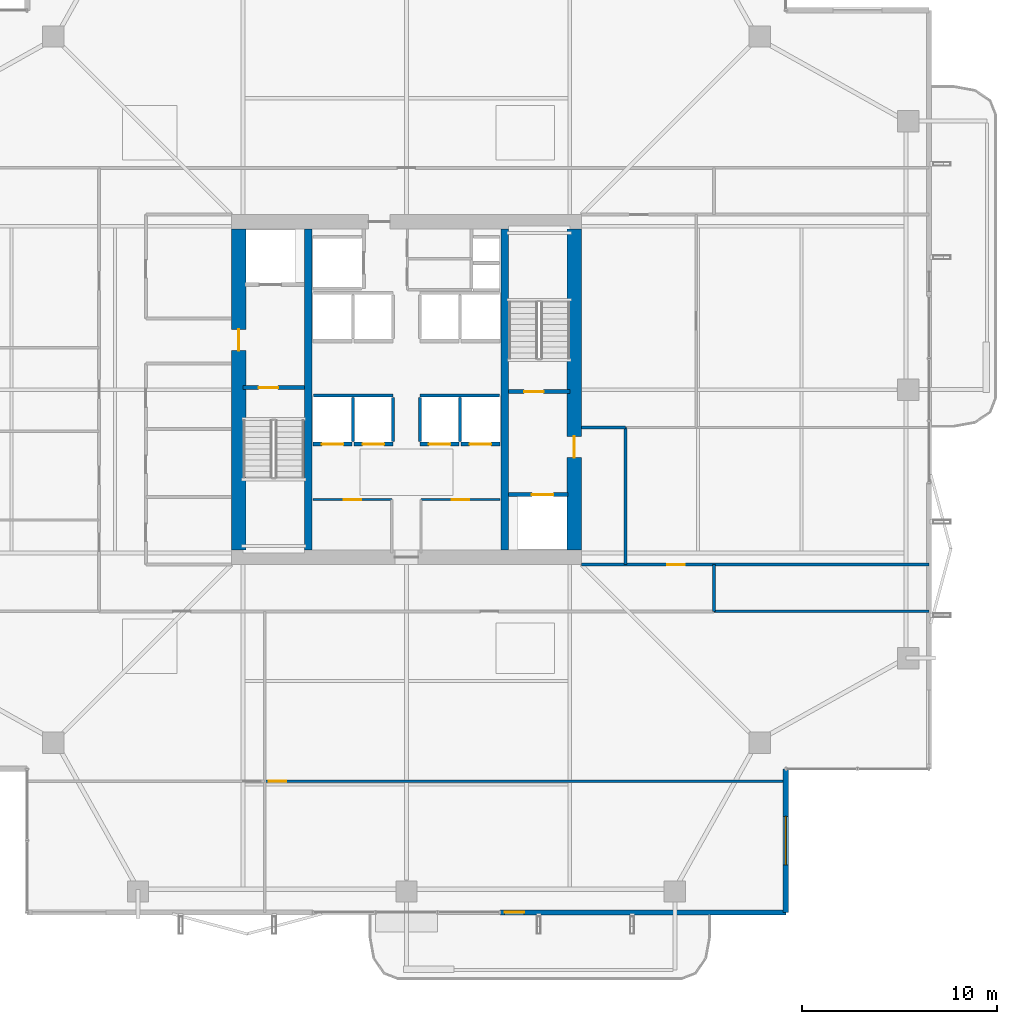
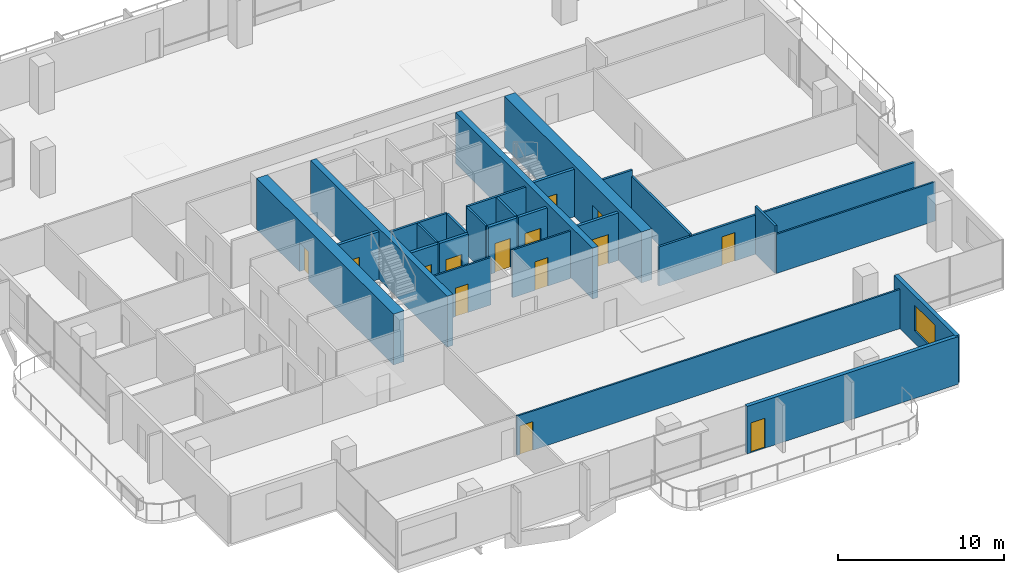
# One storey, part 23 of 29: 27 walls, 14 doors, 1 window, 15 openings.
"""IFC4 building model written with IfcOpenShell, lengths in metres."""

from ifc_helpers import new_model, si_unit, direction, frame, frame_2d, origin, place, context, subcontext, project, spatial, rectangle, extrude, material, layer, layer_set, type_object, element, fill, save


model = new_model("IFC4")

# Units and contexts
model_context = context("Model", 3, precision=1e-05, world=origin(), true_north=direction((0.0, 1.0)))
body_context = subcontext(model_context, "Body", "Model", "MODEL_VIEW")
ifc_project = project(units=[si_unit("LENGTHUNIT", "METRE"), si_unit("AREAUNIT", "SQUARE_METRE"), si_unit("VOLUMEUNIT", "CUBIC_METRE"), si_unit("PLANEANGLEUNIT", "RADIAN"), si_unit("MASSUNIT", "GRAM", prefix="KILO")], contexts=[model_context])

# Site, building, storey
site_placement = place(None, origin())
site = spatial("IfcSite", under=ifc_project, at=site_placement, CompositionType="ELEMENT")
building_placement = place(site_placement, origin())
building = spatial("IfcBuilding", under=site, at=building_placement, Name="Belovzor Exchange Tower", CompositionType="ELEMENT")
storey_placement = place(building_placement, frame((0.0, 0.0, 199.949951171875)))
storey = spatial("IfcBuildingStorey", under=building, at=storey_placement, Name="L49", CompositionType="ELEMENT", Elevation=199.949951171875)

# Wall, opening, door
ifc_material_1 = material(Name="Acoustic Plasterboard on Galvanised Studs", Category="gypsum")
ifc_layer_1 = layer(ifc_material_1, 0.1201171875)
ifc_layer_set_1 = layer_set([ifc_layer_1], Name="Acoustic Plasterboard on Galvanised Studs")
wall_type_1 = type_object("IfcWallType", Name="Acoustic Double-Stud Partition Wall 120", PredefinedType="PARTITIONING", material=ifc_layer_set_1)
wall_1_placement = place(storey_placement, frame((21.510009765625, 8.6650390625, 0.0), z_axis=(0.0, 0.0, 1.0), x_axis=(1.0, 0.0, 0.0)))
wall_1 = element("IfcWall", 1, at=wall_1_placement, inside=storey, type_object=wall_type_1, Name="W-P120 Partition Wall W-L49-SHDIV-1", PredefinedType="PARTITIONING", context=body_context, shape_type="SweptSolid", body=[
    extrude(rectangle(XDim=26.7900390625, YDim=0.1201171875, at=frame_2d((13.39501953125, 0.0))), origin(), (0.0, 0.0, 1.0), 2.885009765625),
])
opening_1_placement = place(wall_1_placement, frame((0.199951171875, 0.0, 0.0)))
opening_1 = element("IfcOpeningElement", 2, at=opening_1_placement, cuts=wall_1, Name="Opening D-INT-090", PredefinedType="OPENING", context=body_context, shape_type="SweptSolid", body=[
    extrude(rectangle(XDim=0.89990234375, YDim=2.10009765625, at=frame_2d((0.449951171875, 1.050048828125))), frame((0.0, 0.070068359375, 0.0), z_axis=(0.0, -1.0, 0.0), x_axis=(1.0, 0.0, 0.0)), (0.0, 0.0, 1.0), 0.14013671875),
])
ifc_material_2 = material(Name="Veneered Hardwood Acoustic Leaf", Category="wood")
door_type_1 = type_object("IfcDoorType", Name="Trading Suite Acoustic Single Door 900x2100", OperationType="NOTDEFINED", PredefinedType="DOOR", material=ifc_material_2)
door_1_placement = place(opening_1_placement, origin())
door_1 = element("IfcDoor", 3, at=door_1_placement, inside=storey, type_object=door_type_1, Name="D-INT-090 Trading Suite Acoustic Single Door 900x2100", OperationType="SINGLE_SWING_LEFT", OverallHeight=2.10009765625, OverallWidth=0.89990234375, PredefinedType="DOOR", context=body_context, shape_type="SweptSolid", body=[
    extrude(rectangle(XDim=0.89990234375, YDim=2.10009765625, at=frame_2d((0.449951171875, 1.050048828125))), frame((0.0, 0.02490234375, 0.0), z_axis=(0.0, -1.0, 0.0), x_axis=(1.0, 0.0, 0.0)), (0.0, 0.0, 1.0), 0.050048828125),
])
fill(opening_1, door_1)

# Wall
wall_2_placement = place(storey_placement, frame((44.60009765625, 17.39990234375, 0.0), z_axis=(0.0, 0.0, 1.0), x_axis=(1.0, 0.0, 0.0)))
element("IfcWall", 4, at=wall_2_placement, inside=storey, type_object=wall_type_1, Name="W-P120 Partition Wall W-L49-END-SE", PredefinedType="PARTITIONING", context=body_context, shape_type="SweptSolid", body=[
    extrude(rectangle(XDim=11.06982421875, YDim=0.1201171875, at=frame_2d((5.534912109375, 0.0))), origin(), (0.0, 0.0, 1.0), 2.885009765625),
])

# Wall, opening, door
ifc_material_3 = material(Name="Fire-Rated Plasterboard on Galvanised Studs", Category="gypsum")
ifc_layer_2 = layer(ifc_material_3, 0.1201171875)
ifc_layer_set_2 = layer_set([ifc_layer_2], Name="Fire-Rated Plasterboard on Galvanised Studs")
wall_type_2 = type_object("IfcWallType", Name="Fire-Rated Double-Stud Partition Wall 120", PredefinedType="PARTITIONING", material=ifc_layer_set_2)
wall_3_placement = place(storey_placement, frame((24.0, 23.14990234375, 0.0), z_axis=(0.0, 0.0, 1.0), x_axis=(1.0, 0.0, 0.0)))
wall_3 = element("IfcWall", 5, at=wall_3_placement, inside=storey, type_object=wall_type_2, Name="W-P120F Partition Wall W-CRL-L49-WN", PredefinedType="PARTITIONING", context=body_context, shape_type="SweptSolid", body=[
    extrude(rectangle(XDim=4.050048828125, YDim=0.1201171875, at=frame_2d((2.02490234375, 0.0))), origin(), (0.0, 0.0, 1.0), 3.5),
])
opening_2_placement = place(wall_3_placement, frame((1.574951171875, 0.0, 0.0)))
opening_2 = element("IfcOpeningElement", 6, at=opening_2_placement, cuts=wall_3, Name="Opening D-FD60-090", PredefinedType="OPENING", context=body_context, shape_type="SweptSolid", body=[
    extrude(rectangle(XDim=0.89990234375, YDim=2.10009765625, at=frame_2d((0.449951171875, 1.050048828125))), frame((0.0, 0.070068359375, 0.0), z_axis=(0.0, -1.0, 0.0), x_axis=(1.0, 0.0, 0.0)), (0.0, 0.0, 1.0), 0.14013671875),
])
ifc_material_4 = material(Name="Acoustic Timber Fire Leaf", Category="wood")
door_type_2 = type_object("IfcDoorType", Name="Core Service & Restroom Fire Door 900x2100", OperationType="NOTDEFINED", PredefinedType="DOOR", material=ifc_material_4)
door_2_placement = place(opening_2_placement, origin())
door_2 = element("IfcDoor", 7, at=door_2_placement, inside=storey, type_object=door_type_2, Name="D-FD60-090 Core Service & Restroom Fire Door 900x2100", OperationType="SINGLE_SWING_LEFT", OverallHeight=2.10009765625, OverallWidth=0.89990234375, PredefinedType="DOOR", context=body_context, shape_type="SweptSolid", body=[
    extrude(rectangle(XDim=0.89990234375, YDim=2.10009765625, at=frame_2d((0.449951171875, 1.050048828125))), frame((0.0, 0.02490234375, 0.0), z_axis=(0.0, -1.0, 0.0), x_axis=(1.0, 0.0, 0.0)), (0.0, 0.0, 1.0), 0.050048828125),
])
fill(opening_2, door_2)

wall_4_placement = place(storey_placement, frame((29.550048828125, 23.14990234375, 0.0), z_axis=(0.0, 0.0, 1.0), x_axis=(1.0, 0.0, 0.0)))
wall_4 = element("IfcWall", 8, at=wall_4_placement, inside=storey, type_object=wall_type_2, Name="W-P120F Partition Wall W-CRL-L49-EN", PredefinedType="PARTITIONING", context=body_context, shape_type="SweptSolid", body=[
    extrude(rectangle(XDim=4.050048828125, YDim=0.1201171875, at=frame_2d((2.02490234375, 0.0))), origin(), (0.0, 0.0, 1.0), 3.5),
])
opening_3_placement = place(wall_4_placement, frame((1.574951171875, 0.0, 0.0)))
opening_3 = element("IfcOpeningElement", 9, at=opening_3_placement, cuts=wall_4, Name="Opening D-FD60-090", PredefinedType="OPENING", context=body_context, shape_type="SweptSolid", body=[
    extrude(rectangle(XDim=0.89990234375, YDim=2.10009765625, at=frame_2d((0.449951171875, 1.050048828125))), frame((0.0, 0.070068359375, 0.0), z_axis=(0.0, -1.0, 0.0), x_axis=(1.0, 0.0, 0.0)), (0.0, 0.0, 1.0), 0.14013671875),
])
door_3_placement = place(opening_3_placement, origin())
door_3 = element("IfcDoor", 10, at=door_3_placement, inside=storey, type_object=door_type_2, Name="D-FD60-090 Core Service & Restroom Fire Door 900x2100", OperationType="SINGLE_SWING_RIGHT", OverallHeight=2.10009765625, OverallWidth=0.89990234375, PredefinedType="DOOR", context=body_context, shape_type="SweptSolid", body=[
    extrude(rectangle(XDim=0.89990234375, YDim=2.10009765625, at=frame_2d((0.449951171875, 1.050048828125))), frame((0.0, 0.02490234375, 0.0), z_axis=(0.0, -1.0, 0.0), x_axis=(1.0, 0.0, 0.0)), (0.0, 0.0, 1.0), 0.050048828125),
])
fill(opening_3, door_3)

# Walls
ifc_material_5 = material(Name="Fire-Rated Gypsum Block and Mineral Wool", Category="gypsum")
ifc_layer_3 = layer(ifc_material_5, 0.14990234375)
ifc_layer_set_3 = layer_set([ifc_layer_3], Name="Fire-Rated Gypsum Block and Mineral Wool")
wall_type_3 = type_object("IfcWallType", Name="Fire-Rated Gypsum Block Corridor Wall 150", PredefinedType="PARTITIONING", material=ifc_layer_set_3)
wall_5_placement = place(storey_placement, frame((37.800048828125, 26.85009765625, 0.0), z_axis=(0.0, 0.0, 1.0), x_axis=(1.0, 0.0, 0.0)))
element("IfcWall", 11, at=wall_5_placement, inside=storey, type_object=wall_type_3, Name="W-P150 Partition Wall W-L49-CFE-N", PredefinedType="PARTITIONING", context=body_context, shape_type="SweptSolid", body=[
    extrude(rectangle(XDim=2.25, YDim=0.14990234375, at=frame_2d((1.125, 0.0))), origin(), (0.0, 0.0, 1.0), 3.5),
])
wall_6_placement = place(storey_placement, frame((40.050048828125, 19.800048828125, 0.0), z_axis=(0.0, 0.0, 1.0), x_axis=(0.0, 1.0, 0.0)))
element("IfcWall", 12, at=wall_6_placement, inside=storey, type_object=wall_type_3, Name="W-P150 Partition Wall W-L49-CFE-E", PredefinedType="PARTITIONING", context=body_context, shape_type="SweptSolid", body=[
    extrude(rectangle(XDim=7.050048828125, YDim=0.14990234375, at=frame_2d((3.52490234375, 0.0))), origin(), (0.0, 0.0, 1.0), 3.03515625),
])
wall_7_placement = place(storey_placement, frame((44.60009765625, 17.39990234375, 0.0), z_axis=(0.0, 0.0, 1.0), x_axis=(0.0, 1.0, 0.0)))
element("IfcWall", 13, at=wall_7_placement, inside=storey, type_object=wall_type_3, Name="W-P150 Partition Wall W-L49-END-ES", PredefinedType="PARTITIONING", context=body_context, shape_type="SweptSolid", body=[
    extrude(rectangle(XDim=2.400146484375, YDim=0.14990234375, at=frame_2d((1.2001953125, 0.0))), origin(), (0.0, 0.0, 1.0), 3.5),
])

# Wall, opening, door
wall_8_placement = place(storey_placement, frame((37.800048828125, 19.800048828125, 0.0), z_axis=(0.0, 0.0, 1.0), x_axis=(1.0, 0.0, 0.0)))
wall_8 = element("IfcWall", 14, at=wall_8_placement, inside=storey, type_object=wall_type_3, Name="W-P150 Partition Wall W-L49-CS-IN", PredefinedType="PARTITIONING", context=body_context, shape_type="SweptSolid", body=[
    extrude(rectangle(XDim=17.869873046875, YDim=0.14990234375, at=frame_2d((8.93505859375, 0.0))), origin(), (0.0, 0.0, 1.0), 2.885009765625),
])
opening_4_placement = place(wall_8_placement, frame((4.39990234375, 0.0, 0.0)))
opening_4 = element("IfcOpeningElement", 15, at=opening_4_placement, cuts=wall_8, Name="Opening D-INT-090", PredefinedType="OPENING", context=body_context, shape_type="SweptSolid", body=[
    extrude(rectangle(XDim=0.89990234375, YDim=2.10009765625, at=frame_2d((0.449951171875, 1.050048828125))), frame((0.0, 0.0849609375, 0.0), z_axis=(0.0, -1.0, 0.0), x_axis=(1.0, 0.0, 0.0)), (0.0, 0.0, 1.0), 0.169921875),
])
door_4_placement = place(opening_4_placement, origin())
door_4 = element("IfcDoor", 16, at=door_4_placement, inside=storey, type_object=door_type_1, Name="D-INT-090 Trading Suite Acoustic Single Door 900x2100", OperationType="SINGLE_SWING_LEFT", OverallHeight=2.10009765625, OverallWidth=0.89990234375, PredefinedType="DOOR", context=body_context, shape_type="SweptSolid", body=[
    extrude(rectangle(XDim=0.89990234375, YDim=2.10009765625, at=frame_2d((0.449951171875, 1.050048828125))), frame((0.0, 0.02490234375, 0.0), z_axis=(0.0, -1.0, 0.0), x_axis=(1.0, 0.0, 0.0)), (0.0, 0.0, 1.0), 0.050048828125),
])
fill(opening_4, door_4)

# Wall, opening, window
ifc_material_6 = material(Name="Precast concrete C40/50", Category="concrete")
ifc_layer_4 = layer(ifc_material_6, 0.280029296875)
ifc_layer_set_4 = layer_set([ifc_layer_4], Name="Precast concrete C40/50")
wall_type_4 = type_object("IfcWallType", Name="Precast Concrete Notched Corner Frame Wall 280", PredefinedType="SOLIDWALL", material=ifc_layer_set_4)
wall_9_placement = place(storey_placement, frame((48.300048828125, 9.300048828125, 0.0), z_axis=(0.0, 0.0, 1.0), x_axis=(0.0, -1.0, 0.0)))
wall_9 = element("IfcWall", 17, at=wall_9_placement, inside=storey, type_object=wall_type_4, Name="W-CRN280 Precast Concrete Notched Corner Frame Wall 280 L49", PredefinedType="SOLIDWALL", context=body_context, shape_type="SweptSolid", body=[
    extrude(rectangle(XDim=7.3701171875, YDim=0.280029296875, at=frame_2d((3.68505859375, 0.0))), origin(), (0.0, 0.0, 1.0), 3.5),
])
opening_5_placement = place(wall_9_placement, frame((2.43505859375, 0.0, 0.89990234375)))
opening_5 = element("IfcOpeningElement", 18, at=opening_5_placement, cuts=wall_9, Name="Opening WN-CRN250", PredefinedType="OPENING", context=body_context, shape_type="SweptSolid", body=[
    extrude(rectangle(XDim=2.5, YDim=1.89990234375, at=frame_2d((1.25, 0.949951171875))), frame((0.0, 0.14990234375, 0.0), z_axis=(0.0, -1.0, 0.0), x_axis=(1.0, 0.0, 0.0)), (0.0, 0.0, 1.0), 0.300048828125),
])
ifc_material_7 = material(Name="Thermally Broken Aluminium and Triple Glazing", Category="aluminium")
window_type = type_object("IfcWindowType", Name="Streamline Moderne Corner Wrap Ribbon Window 2500x1900", PartitioningType="SINGLE_PANEL", PredefinedType="WINDOW", material=ifc_material_7)
window_placement = place(opening_5_placement, origin())
window = element("IfcWindow", 19, at=window_placement, inside=storey, type_object=window_type, Name="WN-CRN250 Streamline Moderne Corner Wrap Ribbon Window 2500x1900", OverallHeight=1.89990234375, OverallWidth=2.5, PartitioningType="SINGLE_PANEL", PredefinedType="WINDOW", context=body_context, shape_type="SweptSolid", body=[
    extrude(rectangle(XDim=2.5, YDim=1.89990234375, at=frame_2d((1.25, 0.949951171875))), frame((0.0, 0.030029296875, 0.0), z_axis=(0.0, -1.0, 0.0), x_axis=(1.0, 0.0, 0.0)), (0.0, 0.0, 1.0), 0.06005859375),
])
fill(opening_5, window)

# Wall, opening, door
ifc_material_8 = material(Name="Precast concrete C40/50", Category="concrete")
ifc_layer_5 = layer(ifc_material_8, 0.260009765625)
ifc_layer_set_5 = layer_set([ifc_layer_5], Name="Precast concrete C40/50")
wall_type_5 = type_object("IfcWallType", Name="Precast Concrete Perimeter Loggia Frame Wall 260", PredefinedType="SOLIDWALL", material=ifc_layer_set_5)
wall_10_placement = place(storey_placement, frame((48.300048828125, 1.929931640625, 0.0), z_axis=(0.0, 0.0, 1.0), x_axis=(-1.0, 0.0, 0.0)))
wall_10 = element("IfcWall", 20, at=wall_10_placement, inside=storey, type_object=wall_type_5, Name="W-EXT260 Precast Concrete Perimeter Loggia Frame Wall 260 L49", PredefinedType="SOLIDWALL", context=body_context, shape_type="SweptSolid", body=[
    extrude(rectangle(XDim=14.699951171875, YDim=0.260009765625, at=frame_2d((7.35009765625, 0.0))), origin(), (0.0, 0.0, 1.0), 3.5),
])
opening_6_placement = place(wall_10_placement, frame((13.449951171875, 0.0, 0.0)))
opening_6 = element("IfcOpeningElement", 21, at=opening_6_placement, cuts=wall_10, Name="Opening D-BAL100", PredefinedType="OPENING", context=body_context, shape_type="SweptSolid", body=[
    extrude(rectangle(XDim=1.0, YDim=2.199951171875, at=frame_2d((0.5, 1.10009765625))), frame((0.0, 0.139892578125, 0.0), z_axis=(0.0, -1.0, 0.0), x_axis=(1.0, 0.0, 0.0)), (0.0, 0.0, 1.0), 0.280029296875),
])
ifc_material_9 = material(Name="Thermally Broken Anodised Aluminium and Laminated Glass", Category="aluminium")
door_type_3 = type_object("IfcDoorType", Name="Planted Loggia Terrace Glazed Door 1000x2200", OperationType="SINGLE_SWING_LEFT", PredefinedType="DOOR", material=ifc_material_9)
door_5_placement = place(opening_6_placement, origin())
door_5 = element("IfcDoor", 22, at=door_5_placement, inside=storey, type_object=door_type_3, Name="D-BAL100 Balcony Terrace Door L49 S", OperationType="SINGLE_SWING_LEFT", OverallHeight=2.199951171875, OverallWidth=1.0, PredefinedType="DOOR", context=body_context, shape_type="SweptSolid", body=[
    extrude(rectangle(XDim=1.0, YDim=2.199951171875, at=frame_2d((0.5, 1.10009765625))), frame((0.0, 0.02490234375, 0.0), z_axis=(0.0, -1.0, 0.0), x_axis=(1.0, 0.0, 0.0)), (0.0, 0.0, 1.0), 0.050048828125),
])
fill(opening_6, door_5)

# Walls
ifc_material_10 = material(Name="Concrete C50/60", Category="concrete")
ifc_layer_6 = layer(ifc_material_10, 0.39990234375)
ifc_layer_set_6 = layer_set([ifc_layer_6], Name="Concrete C50/60")
wall_type_6 = type_object("IfcWallType", Name="Reinforced Concrete Core Internal Web Wall 400", PredefinedType="SHEAR", material=ifc_layer_set_6)
for number, where, z_axis, x_axis, name in (
    (23, (23.75, 20.550048828125, 0.0), (0.0, 0.0, 1.0), (0.0, 1.0, 0.0), "CW-W040 Core Internal Web Wall L49 WL"),
    (24, (33.85009765625, 20.550048828125, 0.0), (0.0, 0.0, 1.0), (0.0, 1.0, 0.0), "CW-W040 Core Internal Web Wall L49 ER"),
):
    element("IfcWall", number, at=place(storey_placement, frame(where, z_axis=z_axis, x_axis=x_axis)), inside=storey, type_object=wall_type_6, Name=name, PredefinedType="SHEAR", context=body_context, shape_type="SweptSolid", body=[
        extrude(rectangle(XDim=16.5, YDim=0.39990234375, at=frame_2d((8.25, 0.0))), origin(), (0.0, 0.0, 1.0), 3.75),
    ])
ifc_material_11 = material(Name="Concrete C50/60", Category="concrete")
ifc_layer_7 = layer(ifc_material_11, 0.14990234375)
ifc_layer_set_7 = layer_set([ifc_layer_7], Name="Concrete C50/60")
wall_type_7 = type_object("IfcWallType", Name="Reinforced Concrete Core Riser Shear Wall 150", PredefinedType="SHEAR", material=ifc_layer_set_7)
for number, where, z_axis, x_axis, name in (
    (25, (24.02001953125, 28.5, 0.0), (0.0, 0.0, 1.0), (1.0, 0.0, 0.0), "W-C150S Core Shaft Wall W-SHB-L49-PLM-NW"),
    (26, (29.5, 28.5, 0.0), (0.0, 0.0, 1.0), (1.0, 0.0, 0.0), "W-C150S Core Shaft Wall W-SHB-L49-PLM-NE"),
):
    element("IfcWall", number, at=place(storey_placement, frame(where, z_axis=z_axis, x_axis=x_axis)), inside=storey, type_object=wall_type_7, Name=name, PredefinedType="SHEAR", context=body_context, shape_type="SweptSolid", body=[
        extrude(rectangle(XDim=4.080078125, YDim=0.14990234375, at=frame_2d((2.0400390625, 0.0))), origin(), (0.0, 0.0, 1.0), 3.5),
    ])
for number, where, z_axis, x_axis, name in (
    (27, (26.050048828125, 26.1201171875, 0.0), (0.0, 0.0, 1.0), (0.0, 1.0, 0.0), "W-C150S Core Shaft Wall W-SHD-L49-PLM-1"),
    (28, (28.10009765625, 26.1201171875, 0.0), (0.0, 0.0, 1.0), (0.0, 1.0, 0.0), "W-C150S Core Shaft Wall W-SHD-L49-PLM-2"),
    (29, (29.5, 26.1201171875, 0.0), (0.0, 0.0, 1.0), (0.0, 1.0, 0.0), "W-C150S Core Shaft Wall W-SHD-L49-PLM-3"),
    (30, (31.550048828125, 26.1201171875, 0.0), (0.0, 0.0, 1.0), (0.0, 1.0, 0.0), "W-C150S Core Shaft Wall W-SHD-L49-PLM-4"),
):
    element("IfcWall", number, at=place(storey_placement, frame(where, z_axis=z_axis, x_axis=x_axis)), inside=storey, type_object=wall_type_7, Name=name, PredefinedType="SHEAR", context=body_context, shape_type="SweptSolid", body=[
        extrude(rectangle(XDim=2.27978515625, YDim=0.14990234375, at=frame_2d((1.139892578125, 0.0))), origin(), (0.0, 0.0, 1.0), 3.5),
    ])

# Wall, opening, door
ifc_material_12 = material(Name="Concrete C50/60", Category="concrete")
ifc_layer_8 = layer(ifc_material_12, 0.199951171875)
ifc_layer_set_8 = layer_set([ifc_layer_8], Name="Concrete C50/60")
wall_type_8 = type_object("IfcWallType", Name="Reinforced Concrete Core Shaft Shear Wall 200", PredefinedType="SHEAR", material=ifc_layer_set_8)
wall_11_placement = place(storey_placement, frame((20.39990234375, 28.89990234375, 0.0), z_axis=(0.0, 0.0, 1.0), x_axis=(1.0, 0.0, 0.0)))
wall_11 = element("IfcWall", 31, at=wall_11_placement, inside=storey, type_object=wall_type_8, Name="W-C200S Core Shaft Wall W-CORE-L49-FFLW1", PredefinedType="SHEAR", context=body_context, shape_type="SweptSolid", body=[
    extrude(rectangle(XDim=3.150146484375, YDim=0.199951171875, at=frame_2d((1.5751953125, 0.0))), origin(), (0.0, 0.0, 1.0), 3.5),
])
opening_7_placement = place(wall_11_placement, frame((0.800048828125, 0.0, 0.0)))
opening_7 = element("IfcOpeningElement", 32, at=opening_7_placement, cuts=wall_11, Name="Opening D-FD90-100", PredefinedType="OPENING", context=body_context, shape_type="SweptSolid", body=[
    extrude(rectangle(XDim=1.0, YDim=2.10009765625, at=frame_2d((0.5, 1.050048828125))), frame((0.0, 0.10986328125, 0.0), z_axis=(0.0, -1.0, 0.0), x_axis=(1.0, 0.0, 0.0)), (0.0, 0.0, 1.0), 0.219970703125),
])
ifc_material_13 = material(Name="Fire-Rated Galvanised Steel Leaf", Category="steel")
door_type_4 = type_object("IfcDoorType", Name="Protected Stairwell Single Fire Door 1000x2100", OperationType="NOTDEFINED", PredefinedType="DOOR", material=ifc_material_13)
door_6_placement = place(opening_7_placement, origin())
door_6 = element("IfcDoor", 33, at=door_6_placement, inside=storey, type_object=door_type_4, Name="D-FD90-100 Protected Stairwell Single Fire Door 1000x2100", OperationType="SINGLE_SWING_RIGHT", OverallHeight=2.10009765625, OverallWidth=1.0, PredefinedType="DOOR", context=body_context, shape_type="SweptSolid", body=[
    extrude(rectangle(XDim=1.0, YDim=2.10009765625, at=frame_2d((0.5, 1.050048828125))), frame((0.0, 0.02490234375, 0.0), z_axis=(0.0, -1.0, 0.0), x_axis=(1.0, 0.0, 0.0)), (0.0, 0.0, 1.0), 0.050048828125),
])
fill(opening_7, door_6)

wall_12_placement = place(storey_placement, frame((34.050048828125, 28.699951171875, 0.0), z_axis=(0.0, 0.0, 1.0), x_axis=(1.0, 0.0, 0.0)))
wall_12 = element("IfcWall", 34, at=wall_12_placement, inside=storey, type_object=wall_type_8, Name="W-C200S Core Shaft Wall W-CORE-L49-FFLE2", PredefinedType="SHEAR", context=body_context, shape_type="SweptSolid", body=[
    extrude(rectangle(XDim=3.14990234375, YDim=0.199951171875, at=frame_2d((1.574951171875, 0.0))), origin(), (0.0, 0.0, 1.0), 3.5),
])
opening_8_placement = place(wall_12_placement, frame((0.800048828125, 0.0, 0.0)))
opening_8 = element("IfcOpeningElement", 35, at=opening_8_placement, cuts=wall_12, Name="Opening D-FD90-100", PredefinedType="OPENING", context=body_context, shape_type="SweptSolid", body=[
    extrude(rectangle(XDim=1.0, YDim=2.10009765625, at=frame_2d((0.5, 1.050048828125))), frame((0.0, 0.10986328125, 0.0), z_axis=(0.0, -1.0, 0.0), x_axis=(1.0, 0.0, 0.0)), (0.0, 0.0, 1.0), 0.219970703125),
])
door_7_placement = place(opening_8_placement, origin())
door_7 = element("IfcDoor", 36, at=door_7_placement, inside=storey, type_object=door_type_4, Name="D-FD90-100 Protected Stairwell Single Fire Door 1000x2100", OperationType="SINGLE_SWING_LEFT", OverallHeight=2.10009765625, OverallWidth=1.0, PredefinedType="DOOR", context=body_context, shape_type="SweptSolid", body=[
    extrude(rectangle(XDim=1.0, YDim=2.10009765625, at=frame_2d((0.5, 1.050048828125))), frame((0.0, 0.02490234375, 0.0), z_axis=(0.0, -1.0, 0.0), x_axis=(1.0, 0.0, 0.0)), (0.0, 0.0, 1.0), 0.050048828125),
])
fill(opening_8, door_7)

wall_13_placement = place(storey_placement, frame((34.050048828125, 23.39990234375, 0.0), z_axis=(0.0, 0.0, 1.0), x_axis=(1.0, 0.0, 0.0)))
wall_13 = element("IfcWall", 37, at=wall_13_placement, inside=storey, type_object=wall_type_8, Name="W-C200S Core Shaft Wall W-SH-L49-FFL-02", PredefinedType="SHEAR", context=body_context, shape_type="SweptSolid", body=[
    extrude(rectangle(XDim=3.050048828125, YDim=0.199951171875, at=frame_2d((1.52490234375, 0.0))), origin(), (0.0, 0.0, 1.0), 3.5),
])
opening_9_placement = place(wall_13_placement, frame((1.199951171875, 0.0, 0.0)))
opening_9 = element("IfcOpeningElement", 38, at=opening_9_placement, cuts=wall_13, Name="Opening LD-110", PredefinedType="OPENING", context=body_context, shape_type="SweptSolid", body=[
    extrude(rectangle(XDim=1.10009765625, YDim=2.14990234375, at=frame_2d((0.550048828125, 1.074951171875))), frame((0.0, 0.10986328125, 0.0), z_axis=(0.0, -1.0, 0.0), x_axis=(1.0, 0.0, 0.0)), (0.0, 0.0, 1.0), 0.219970703125),
])
ifc_material_14 = material(Name="Stainless Steel Grade 304", Category="steel")
door_type_5 = type_object("IfcDoorType", Name="Automated Stainless Steel Lift Landing Door 1100x2150", OperationType="SLIDING_TO_RIGHT", PredefinedType="DOOR", material=ifc_material_14)
door_8_placement = place(opening_9_placement, origin())
door_8 = element("IfcDoor", 39, at=door_8_placement, inside=storey, type_object=door_type_5, Name="LD-110 Automated Stainless Steel Lift Landing Door 1100x2150", OperationType="SLIDING_TO_RIGHT", OverallHeight=2.14990234375, OverallWidth=1.10009765625, PredefinedType="DOOR", context=body_context, shape_type="SweptSolid", body=[
    extrude(rectangle(XDim=1.10009765625, YDim=2.14990234375, at=frame_2d((0.550048828125, 1.074951171875))), frame((0.0, 0.02490234375, 0.0), z_axis=(0.0, -1.0, 0.0), x_axis=(1.0, 0.0, 0.0)), (0.0, 0.0, 1.0), 0.050048828125),
])
fill(opening_9, door_8)

wall_14_placement = place(storey_placement, frame((24.0, 26.0, 0.0), z_axis=(0.0, 0.0, 1.0), x_axis=(1.0, 0.0, 0.0)))
wall_14 = element("IfcWall", 40, at=wall_14_placement, inside=storey, type_object=wall_type_8, Name="W-C200S Core Shaft Wall W-SH-L49-PL-M1", PredefinedType="SHEAR", context=body_context, shape_type="SweptSolid", body=[
    extrude(rectangle(XDim=2.0, YDim=0.199951171875, at=frame_2d((1.0, 0.0))), origin(), (0.0, 0.0, 1.0), 3.5),
])
opening_10_placement = place(wall_14_placement, frame((0.449951171875, 0.0, 0.0)))
opening_10 = element("IfcOpeningElement", 41, at=opening_10_placement, cuts=wall_14, Name="Opening LD-110", PredefinedType="OPENING", context=body_context, shape_type="SweptSolid", body=[
    extrude(rectangle(XDim=1.10009765625, YDim=2.14990234375, at=frame_2d((0.550048828125, 1.074951171875))), frame((0.0, 0.10986328125, 0.0), z_axis=(0.0, -1.0, 0.0), x_axis=(1.0, 0.0, 0.0)), (0.0, 0.0, 1.0), 0.219970703125),
])
door_9_placement = place(opening_10_placement, origin())
door_9 = element("IfcDoor", 42, at=door_9_placement, inside=storey, type_object=door_type_5, Name="LD-110 Automated Stainless Steel Lift Landing Door 1100x2150", OperationType="SLIDING_TO_RIGHT", OverallHeight=2.14990234375, OverallWidth=1.10009765625, PredefinedType="DOOR", context=body_context, shape_type="SweptSolid", body=[
    extrude(rectangle(XDim=1.10009765625, YDim=2.14990234375, at=frame_2d((0.550048828125, 1.074951171875))), frame((0.0, 0.02490234375, 0.0), z_axis=(0.0, -1.0, 0.0), x_axis=(1.0, 0.0, 0.0)), (0.0, 0.0, 1.0), 0.050048828125),
])
fill(opening_10, door_9)

wall_15_placement = place(storey_placement, frame((26.10009765625, 26.0, 0.0), z_axis=(0.0, 0.0, 1.0), x_axis=(1.0, 0.0, 0.0)))
wall_15 = element("IfcWall", 43, at=wall_15_placement, inside=storey, type_object=wall_type_8, Name="W-C200S Core Shaft Wall W-SH-L49-PL-M2", PredefinedType="SHEAR", context=body_context, shape_type="SweptSolid", body=[
    extrude(rectangle(XDim=2.0, YDim=0.199951171875, at=frame_2d((1.0, 0.0))), origin(), (0.0, 0.0, 1.0), 3.5),
])
opening_11_placement = place(wall_15_placement, frame((0.449951171875, 0.0, 0.0)))
opening_11 = element("IfcOpeningElement", 44, at=opening_11_placement, cuts=wall_15, Name="Opening LD-110", PredefinedType="OPENING", context=body_context, shape_type="SweptSolid", body=[
    extrude(rectangle(XDim=1.10009765625, YDim=2.14990234375, at=frame_2d((0.550048828125, 1.074951171875))), frame((0.0, 0.10986328125, 0.0), z_axis=(0.0, -1.0, 0.0), x_axis=(1.0, 0.0, 0.0)), (0.0, 0.0, 1.0), 0.219970703125),
])
door_10_placement = place(opening_11_placement, origin())
door_10 = element("IfcDoor", 45, at=door_10_placement, inside=storey, type_object=door_type_5, Name="LD-110 Automated Stainless Steel Lift Landing Door 1100x2150", OperationType="SLIDING_TO_RIGHT", OverallHeight=2.14990234375, OverallWidth=1.10009765625, PredefinedType="DOOR", context=body_context, shape_type="SweptSolid", body=[
    extrude(rectangle(XDim=1.10009765625, YDim=2.14990234375, at=frame_2d((0.550048828125, 1.074951171875))), frame((0.0, 0.02490234375, 0.0), z_axis=(0.0, -1.0, 0.0), x_axis=(1.0, 0.0, 0.0)), (0.0, 0.0, 1.0), 0.050048828125),
])
fill(opening_11, door_10)

wall_16_placement = place(storey_placement, frame((29.5, 26.0, 0.0), z_axis=(0.0, 0.0, 1.0), x_axis=(1.0, 0.0, 0.0)))
wall_16 = element("IfcWall", 46, at=wall_16_placement, inside=storey, type_object=wall_type_8, Name="W-C200S Core Shaft Wall W-SH-L49-PL-M3", PredefinedType="SHEAR", context=body_context, shape_type="SweptSolid", body=[
    extrude(rectangle(XDim=2.0, YDim=0.199951171875, at=frame_2d((1.0, 0.0))), origin(), (0.0, 0.0, 1.0), 3.5),
])
opening_12_placement = place(wall_16_placement, frame((0.449951171875, 0.0, 0.0)))
opening_12 = element("IfcOpeningElement", 47, at=opening_12_placement, cuts=wall_16, Name="Opening LD-110", PredefinedType="OPENING", context=body_context, shape_type="SweptSolid", body=[
    extrude(rectangle(XDim=1.10009765625, YDim=2.14990234375, at=frame_2d((0.550048828125, 1.074951171875))), frame((0.0, 0.10986328125, 0.0), z_axis=(0.0, -1.0, 0.0), x_axis=(1.0, 0.0, 0.0)), (0.0, 0.0, 1.0), 0.219970703125),
])
door_11_placement = place(opening_12_placement, origin())
door_11 = element("IfcDoor", 48, at=door_11_placement, inside=storey, type_object=door_type_5, Name="LD-110 Automated Stainless Steel Lift Landing Door 1100x2150", OperationType="SLIDING_TO_RIGHT", OverallHeight=2.14990234375, OverallWidth=1.10009765625, PredefinedType="DOOR", context=body_context, shape_type="SweptSolid", body=[
    extrude(rectangle(XDim=1.10009765625, YDim=2.14990234375, at=frame_2d((0.550048828125, 1.074951171875))), frame((0.0, 0.02490234375, 0.0), z_axis=(0.0, -1.0, 0.0), x_axis=(1.0, 0.0, 0.0)), (0.0, 0.0, 1.0), 0.050048828125),
])
fill(opening_12, door_11)

wall_17_placement = place(storey_placement, frame((31.60009765625, 26.0, 0.0), z_axis=(0.0, 0.0, 1.0), x_axis=(1.0, 0.0, 0.0)))
wall_17 = element("IfcWall", 49, at=wall_17_placement, inside=storey, type_object=wall_type_8, Name="W-C200S Core Shaft Wall W-SH-L49-PL-M4", PredefinedType="SHEAR", context=body_context, shape_type="SweptSolid", body=[
    extrude(rectangle(XDim=2.0, YDim=0.199951171875, at=frame_2d((1.0, 0.0))), origin(), (0.0, 0.0, 1.0), 3.5),
])
opening_13_placement = place(wall_17_placement, frame((0.449951171875, 0.0, 0.0)))
opening_13 = element("IfcOpeningElement", 50, at=opening_13_placement, cuts=wall_17, Name="Opening LD-110", PredefinedType="OPENING", context=body_context, shape_type="SweptSolid", body=[
    extrude(rectangle(XDim=1.10009765625, YDim=2.14990234375, at=frame_2d((0.550048828125, 1.074951171875))), frame((0.0, 0.10986328125, 0.0), z_axis=(0.0, -1.0, 0.0), x_axis=(1.0, 0.0, 0.0)), (0.0, 0.0, 1.0), 0.219970703125),
])
door_12_placement = place(opening_13_placement, origin())
door_12 = element("IfcDoor", 51, at=door_12_placement, inside=storey, type_object=door_type_5, Name="LD-110 Automated Stainless Steel Lift Landing Door 1100x2150", OperationType="SLIDING_TO_RIGHT", OverallHeight=2.14990234375, OverallWidth=1.10009765625, PredefinedType="DOOR", context=body_context, shape_type="SweptSolid", body=[
    extrude(rectangle(XDim=1.10009765625, YDim=2.14990234375, at=frame_2d((0.550048828125, 1.074951171875))), frame((0.0, 0.02490234375, 0.0), z_axis=(0.0, -1.0, 0.0), x_axis=(1.0, 0.0, 0.0)), (0.0, 0.0, 1.0), 0.050048828125),
])
fill(opening_13, door_12)

ifc_material_15 = material(Name="Concrete C50/60", Category="concrete")
ifc_layer_9 = layer(ifc_material_15, 0.75)
ifc_layer_set_9 = layer_set([ifc_layer_9], Name="Concrete C50/60")
wall_type_9 = type_object("IfcWallType", Name="Reinforced Concrete Core Shear Wall 750", PredefinedType="SHEAR", material=ifc_layer_set_9)
wall_18_placement = place(storey_placement, frame((20.175048828125, 20.550048828125, 0.0), z_axis=(0.0, 0.0, 1.0), x_axis=(0.0, 1.0, 0.0)))
wall_18 = element("IfcWall", 52, at=wall_18_placement, inside=storey, type_object=wall_type_9, Name="CW-S075 Core Shear Wall L49 W", PredefinedType="SHEAR", context=body_context, shape_type="SweptSolid", body=[
    extrude(rectangle(XDim=16.5, YDim=0.75, at=frame_2d((8.25, 0.0))), origin(), (0.0, 0.0, 1.0), 3.75),
])
opening_14_placement = place(wall_18_placement, frame((10.25, 0.0, 0.0)))
opening_14 = element("IfcOpeningElement", 53, at=opening_14_placement, cuts=wall_18, Name="Opening D-FD90-110", PredefinedType="OPENING", context=body_context, shape_type="SweptSolid", body=[
    extrude(rectangle(XDim=1.10009765625, YDim=2.14990234375, at=frame_2d((0.550048828125, 1.074951171875))), frame((0.0, 0.385009765625, 0.0), z_axis=(0.0, -1.0, 0.0), x_axis=(1.0, 0.0, 0.0)), (0.0, 0.0, 1.0), 0.77001953125),
])
ifc_material_16 = material(Name="Fire-Rated Galvanised Steel Leaf", Category="steel")
door_type_6 = type_object("IfcDoorType", Name="Protected Escape Vestibule Fire Door 1100x2150", OperationType="NOTDEFINED", PredefinedType="DOOR", material=ifc_material_16)
door_13_placement = place(opening_14_placement, origin())
door_13 = element("IfcDoor", 54, at=door_13_placement, inside=storey, type_object=door_type_6, Name="D-FD90-110 Protected Escape Vestibule Fire Door 1100x2150", OperationType="SINGLE_SWING_LEFT", OverallHeight=2.14990234375, OverallWidth=1.10009765625, PredefinedType="DOOR", context=body_context, shape_type="SweptSolid", body=[
    extrude(rectangle(XDim=1.10009765625, YDim=2.14990234375, at=frame_2d((0.550048828125, 1.074951171875))), frame((0.0, 0.02490234375, 0.0), z_axis=(0.0, -1.0, 0.0), x_axis=(1.0, 0.0, 0.0)), (0.0, 0.0, 1.0), 0.050048828125),
])
fill(opening_14, door_13)

wall_19_placement = place(storey_placement, frame((37.425048828125, 20.550048828125, 0.0), z_axis=(0.0, 0.0, 1.0), x_axis=(0.0, 1.0, 0.0)))
wall_19 = element("IfcWall", 55, at=wall_19_placement, inside=storey, type_object=wall_type_9, Name="CW-S075 Core Shear Wall L49 E", PredefinedType="SHEAR", context=body_context, shape_type="SweptSolid", body=[
    extrude(rectangle(XDim=16.5, YDim=0.75, at=frame_2d((8.25, 0.0))), origin(), (0.0, 0.0, 1.0), 3.75),
])
opening_15_placement = place(wall_19_placement, frame((4.75, 0.0, 0.0)))
opening_15 = element("IfcOpeningElement", 56, at=opening_15_placement, cuts=wall_19, Name="Opening D-FD90-110", PredefinedType="OPENING", context=body_context, shape_type="SweptSolid", body=[
    extrude(rectangle(XDim=1.10009765625, YDim=2.14990234375, at=frame_2d((0.550048828125, 1.074951171875))), frame((0.0, 0.385009765625, 0.0), z_axis=(0.0, -1.0, 0.0), x_axis=(1.0, 0.0, 0.0)), (0.0, 0.0, 1.0), 0.77001953125),
])
door_14_placement = place(opening_15_placement, origin())
door_14 = element("IfcDoor", 57, at=door_14_placement, inside=storey, type_object=door_type_6, Name="D-FD90-110 Protected Escape Vestibule Fire Door 1100x2150", OperationType="SINGLE_SWING_RIGHT", OverallHeight=2.14990234375, OverallWidth=1.10009765625, PredefinedType="DOOR", context=body_context, shape_type="SweptSolid", body=[
    extrude(rectangle(XDim=1.10009765625, YDim=2.14990234375, at=frame_2d((0.550048828125, 1.074951171875))), frame((0.0, 0.02490234375, 0.0), z_axis=(0.0, -1.0, 0.0), x_axis=(1.0, 0.0, 0.0)), (0.0, 0.0, 1.0), 0.050048828125),
])
fill(opening_15, door_14)

save(model, "model.ifc")
